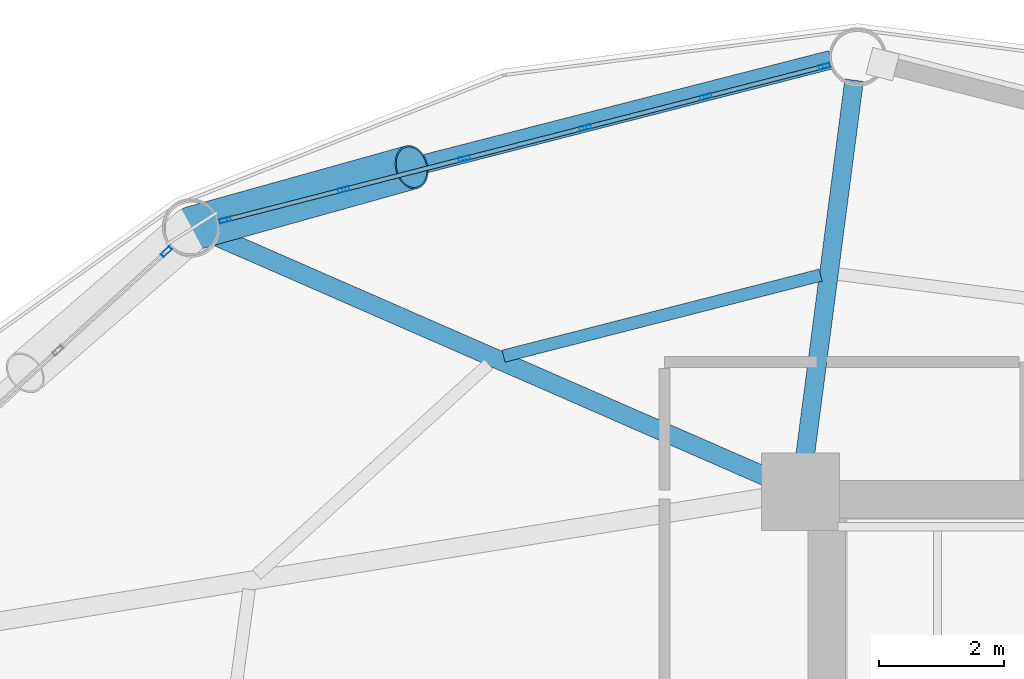
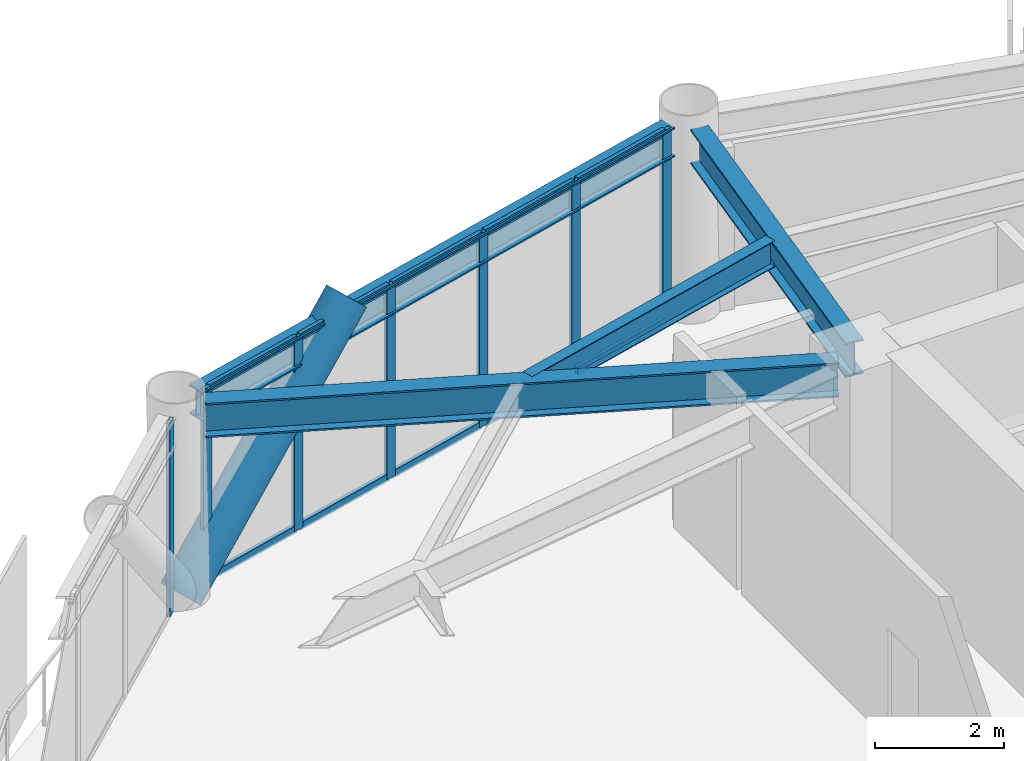
# One storey, part 16 of 25: 18 members, 4 beams, 2 elements without a shape of their own.
"""IFC4 building model written with IfcOpenShell, lengths in metres."""

from ifc_helpers import new_model, si_unit, direction, frame, origin, origin_2d, place, context, subcontext, project, spatial, hollow_rectangle, hollow_circle, i_section, extrude, material, layer, layer_set, material_profile, profile_set, type_object, element, aggregate, save


model = new_model("IFC4")

# Units and contexts
model_context = context("Model", 3, precision=1e-05, world=origin(), true_north=direction((0.0, 1.0)))
body_context = subcontext(model_context, "Body", "Model", "MODEL_VIEW")
ifc_project = project(units=[si_unit("LENGTHUNIT", "METRE"), si_unit("AREAUNIT", "SQUARE_METRE"), si_unit("VOLUMEUNIT", "CUBIC_METRE"), si_unit("PLANEANGLEUNIT", "RADIAN"), si_unit("MASSUNIT", "GRAM", prefix="KILO")], contexts=[model_context])

# Site, building, storey
site_placement = place(None, origin())
site = spatial("IfcSite", under=ifc_project, at=site_placement, CompositionType="ELEMENT")
building_placement = place(site_placement, origin())
building = spatial("IfcBuilding", under=site, at=building_placement, Name="Varnakorn Sky Granary", CompositionType="ELEMENT")
storey_placement = place(building_placement, frame((0.0, 0.0, 62.699951171875)))
storey = spatial("IfcBuildingStorey", under=building, at=storey_placement, Name="L15", CompositionType="ELEMENT", Elevation=62.699951171875)

# Beams
ifc_material_1 = material(Name="Steel S355JR", Category="steel")
ifc_material_profile_1 = material_profile(ifc_material_1, i_section(OverallWidth=0.300048828125, OverallDepth=0.64990234375, WebThickness=0.01611328125, FlangeThickness=0.031005859375, at=origin_2d()), Name="HE 650 B")
ifc_profile_set_1 = profile_set([ifc_material_profile_1], Name="Steel S355JR")
beam_type_1 = type_object("IfcBeamType", Name="BM-RAD-Z1", PredefinedType="BEAM", material=ifc_profile_set_1)
beam_1_placement = place(storey_placement, frame((-2.365478515625, 13.03662109375, 3.31494140625), z_axis=(0.129513148233, 0.991577704688, 0.0), x_axis=(-0.991577704688, 0.129513148233, 0.0)))
element("IfcBeam", 1, at=beam_1_placement, inside=storey, type_object=beam_type_1, Name="Radial Floor Girder RG04 L15", PredefinedType="BEAM", context=body_context, shape_type="SweptSolid", body=[
    extrude(i_section(OverallWidth=0.300048828125, OverallDepth=0.64990234375, WebThickness=0.01611328125, FlangeThickness=0.031005859375, at=origin_2d()), origin(), (0.0, 0.0, 1.0), 6.239501953125),
])
beam_2_placement = place(storey_placement, frame((-2.8046875, 12.7880859375, 3.31494140625), z_axis=(-0.916293779138, 0.400506816812, 0.0), x_axis=(-0.400506816812, -0.916293779138, 0.0)))
element("IfcBeam", 2, at=beam_2_placement, inside=storey, type_object=beam_type_1, Name="Radial Floor Girder RG05 L15", PredefinedType="BEAM", context=body_context, shape_type="SweptSolid", body=[
    extrude(i_section(OverallWidth=0.300048828125, OverallDepth=0.64990234375, WebThickness=0.01611328125, FlangeThickness=0.031005859375, at=origin_2d()), origin(), (0.0, 0.0, 1.0), 9.85205078125),
])
ifc_material_profile_2 = material_profile(ifc_material_1, i_section(OverallWidth=0.199951171875, OverallDepth=0.5, WebThickness=0.01025390625, FlangeThickness=0.01611328125, at=origin_2d()), Name="IPE 500")
ifc_profile_set_2 = profile_set([ifc_material_profile_2], Name="Steel S355JR")
beam_type_2 = type_object("IfcBeamType", Name="BM-SEC-Z1", PredefinedType="BEAM", material=ifc_profile_set_2)
beam_3_placement = place(storey_placement, frame((-2.09716796875, 16.095458984375, 3.39013671875), z_axis=(-0.96885695905, -0.247621067159, 0.0), x_axis=(0.247621067159, -0.96885695905, 0.0)))
element("IfcBeam", 3, at=beam_3_placement, inside=storey, type_object=beam_type_2, Name="Secondary Floor Chord Beam MSB04 L15", PredefinedType="BEAM", context=body_context, shape_type="SweptSolid", body=[
    extrude(i_section(OverallWidth=0.199951171875, OverallDepth=0.5, WebThickness=0.01025390625, FlangeThickness=0.01611328125, at=origin_2d()), origin(), (0.0, 0.0, 1.0), 5.249267578125),
])
ifc_material_profile_3 = material_profile(ifc_material_1, i_section(OverallWidth=0.300048828125, OverallDepth=0.550048828125, WebThickness=0.014892578125, FlangeThickness=0.029052734375, at=origin_2d()), Name="HE 550 B")
ifc_profile_set_3 = profile_set([ifc_material_profile_3], Name="Steel S355JR")
beam_type_3 = type_object("IfcBeamType", Name="BM-SPD-Z1", PredefinedType="SPANDREL", material=ifc_profile_set_3)
beam_4_placement = place(storey_placement, frame((-1.92822265625, 19.55224609375, 3.364990234375), z_axis=(-0.968705197596, -0.248214101432, 0.0), x_axis=(0.248214101432, -0.968705197596, 0.0)))
element("IfcBeam", 4, at=beam_4_placement, inside=storey, type_object=beam_type_3, Name="Perimeter Spandrel Ring Beam RB04 L15", PredefinedType="SPANDREL", context=body_context, shape_type="SweptSolid", body=[
    extrude(i_section(OverallWidth=0.300048828125, OverallDepth=0.550048828125, WebThickness=0.014892578125, FlangeThickness=0.029052734375, at=origin_2d()), origin(), (0.0, 0.0, 1.0), 10.19970703125),
])

# Curtain wall, members
ifc_material_2 = material(Name="Anodised Bronze Aluminium Alloy 6063-T6", Category="aluminium")
ifc_layer = layer(ifc_material_2, 0.18994140625, Name="Anodised Bronze Aluminium Alloy 6063-T6")
ifc_layer_set = layer_set([ifc_layer], Name="Anodised Bronze Aluminium Alloy 6063-T6")
curtain_wall_type = type_object("IfcCurtainWallType", Name="CW-FRM-1", PredefinedType="USERDEFINED", material=ifc_layer_set)
curtain_wall_1_placement = place(storey_placement, origin())
curtain_wall_1 = element("IfcCurtainWall", 5, at=curtain_wall_1_placement, inside=storey, type_object=curtain_wall_type, Name="Unitised Curtain Wall CW3 CW-L15-B04", ObjectType="CURTAIN WALL", PredefinedType="USERDEFINED")
ifc_material_profile_4 = material_profile(ifc_material_2, hollow_rectangle(XDim=0.070068359375, YDim=0.18505859375, WallThickness=0.00390625, at=origin_2d()), Name="ALU MULL 70x185")
ifc_profile_set_4 = profile_set([ifc_material_profile_4], Name="Anodised Bronze Aluminium Alloy 6063-T6")
member_type_1 = type_object("IfcMemberType", Name="CW-FRM-1-MULL", PredefinedType="MULLION", material=ifc_profile_set_4)
member_1_placement = place(storey_placement, frame((-11.65087890625, 16.9794921875, 0.0), z_axis=(0.0, 0.0, 1.0), x_axis=(-0.248436235849, 0.968648252317, 0.0)))
member_1 = element("IfcMember", 6, at=member_1_placement, type_object=member_type_1, Name="CW3 mullion 1", PredefinedType="MULLION", context=body_context, shape_type="SweptSolid", body=[
    extrude(hollow_rectangle(XDim=0.070068359375, YDim=0.18505859375, WallThickness=0.00390625, at=origin_2d()), origin(), (0.0, 0.0, 1.0), 3.64013671875),
])
member_2_placement = place(storey_placement, frame((-9.747802734375, 17.467529296875, 0.0), z_axis=(0.0, 0.0, 1.0), x_axis=(-0.248436235849, 0.968648252317, 0.0)))
member_2 = element("IfcMember", 7, at=member_2_placement, type_object=member_type_1, Name="CW3 mullion 2", PredefinedType="MULLION", context=body_context, shape_type="SweptSolid", body=[
    extrude(hollow_rectangle(XDim=0.070068359375, YDim=0.18505859375, WallThickness=0.00390625, at=origin_2d()), origin(), (0.0, 0.0, 1.0), 3.64013671875),
])
member_3_placement = place(storey_placement, frame((-7.81103515625, 17.96435546875, 0.0), z_axis=(0.0, 0.0, 1.0), x_axis=(-0.248436235849, 0.968648252317, 0.0)))
member_3 = element("IfcMember", 8, at=member_3_placement, type_object=member_type_1, Name="CW3 mullion 3", PredefinedType="MULLION", context=body_context, shape_type="SweptSolid", body=[
    extrude(hollow_rectangle(XDim=0.070068359375, YDim=0.18505859375, WallThickness=0.00390625, at=origin_2d()), origin(), (0.0, 0.0, 1.0), 3.64013671875),
])
member_4_placement = place(storey_placement, frame((-5.874267578125, 18.461181640625, 0.0), z_axis=(0.0, 0.0, 1.0), x_axis=(-0.248436235849, 0.968648252317, 0.0)))
member_4 = element("IfcMember", 9, at=member_4_placement, type_object=member_type_1, Name="CW3 mullion 4", PredefinedType="MULLION", context=body_context, shape_type="SweptSolid", body=[
    extrude(hollow_rectangle(XDim=0.070068359375, YDim=0.18505859375, WallThickness=0.00390625, at=origin_2d()), origin(), (0.0, 0.0, 1.0), 3.64013671875),
])
member_5_placement = place(storey_placement, frame((-3.9375, 18.957763671875, 0.0), z_axis=(0.0, 0.0, 1.0), x_axis=(-0.248436235849, 0.968648252317, 0.0)))
member_5 = element("IfcMember", 10, at=member_5_placement, type_object=member_type_1, Name="CW3 mullion 5", PredefinedType="MULLION", context=body_context, shape_type="SweptSolid", body=[
    extrude(hollow_rectangle(XDim=0.070068359375, YDim=0.18505859375, WallThickness=0.00390625, at=origin_2d()), origin(), (0.0, 0.0, 1.0), 3.64013671875),
])
member_6_placement = place(storey_placement, frame((-2.03466796875, 19.44580078125, 0.0), z_axis=(0.0, 0.0, 1.0), x_axis=(-0.248436235849, 0.968648252317, 0.0)))
member_6 = element("IfcMember", 11, at=member_6_placement, type_object=member_type_1, Name="CW3 mullion 6", PredefinedType="MULLION", context=body_context, shape_type="SweptSolid", body=[
    extrude(hollow_rectangle(XDim=0.070068359375, YDim=0.18505859375, WallThickness=0.00390625, at=origin_2d()), origin(), (0.0, 0.0, 1.0), 3.64013671875),
])

# Curtain wall, member
curtain_wall_2_placement = place(storey_placement, origin())
curtain_wall_2 = element("IfcCurtainWall", 12, at=curtain_wall_2_placement, inside=storey, type_object=curtain_wall_type, Name="Unitised Curtain Wall CW3 CW-L15-B05", ObjectType="CURTAIN WALL", PredefinedType="USERDEFINED")
member_7_placement = place(storey_placement, frame((-12.59375, 16.470947265625, 0.0), z_axis=(0.0, 0.0, 1.0), x_axis=(-0.673050871898, 0.739596189712, 0.0)))
member_7 = element("IfcMember", 13, at=member_7_placement, type_object=member_type_1, Name="CW3 mullion 5", PredefinedType="MULLION", context=body_context, shape_type="SweptSolid", body=[
    extrude(hollow_rectangle(XDim=0.070068359375, YDim=0.18505859375, WallThickness=0.00390625, at=origin_2d()), origin(), (0.0, 0.0, 1.0), 3.64013671875),
])
aggregate(curtain_wall_2, [member_7])

# Member
ifc_material_profile_5 = material_profile(ifc_material_2, hollow_rectangle(XDim=0.070068359375, YDim=0.139892578125, WallThickness=0.00341796875, at=origin_2d()), Name="ALU TRAN 70x140")
ifc_profile_set_5 = profile_set([ifc_material_profile_5], Name="Anodised Bronze Aluminium Alloy 6063-T6")
member_type_2 = type_object("IfcMemberType", Name="CW-FRM-1-TRAN", PredefinedType="USERDEFINED", material=ifc_profile_set_5)
member_8_placement = place(storey_placement, frame((-11.616943359375, 16.98828125, 0.03515625), z_axis=(0.968646374828, 0.248443556029, 0.0), x_axis=(-0.248443556029, 0.968646374828, 0.0)))
member_8 = element("IfcMember", 14, at=member_8_placement, type_object=member_type_2, Name="CW3 transom 1.1", ObjectType="TRANSOM", PredefinedType="USERDEFINED", context=body_context, shape_type="SweptSolid", body=[
    extrude(hollow_rectangle(XDim=0.070068359375, YDim=0.139892578125, WallThickness=0.00341796875, at=origin_2d()), origin(), (0.0, 0.0, 1.0), 1.89453125),
])

member_9_placement = place(storey_placement, frame((-11.616943359375, 16.98828125, 3.60498046875), z_axis=(0.968646374828, 0.248443556029, 0.0), x_axis=(-0.248443556029, 0.968646374828, 0.0)))
member_9 = element("IfcMember", 15, at=member_9_placement, type_object=member_type_2, Name="CW3 transom 1.2", ObjectType="TRANSOM", PredefinedType="USERDEFINED", context=body_context, shape_type="SweptSolid", body=[
    extrude(hollow_rectangle(XDim=0.070068359375, YDim=0.139892578125, WallThickness=0.00341796875, at=origin_2d()), origin(), (0.0, 0.0, 1.0), 1.89453125),
])

member_10_placement = place(storey_placement, frame((-9.714111328125, 17.476318359375, 0.03515625), z_axis=(0.968666207589, 0.248366218064, 0.0), x_axis=(-0.248366218064, 0.968666207589, 0.0)))
member_10 = element("IfcMember", 16, at=member_10_placement, type_object=member_type_2, Name="CW3 transom 2.1", ObjectType="TRANSOM", PredefinedType="USERDEFINED", context=body_context, shape_type="SweptSolid", body=[
    extrude(hollow_rectangle(XDim=0.070068359375, YDim=0.139892578125, WallThickness=0.00341796875, at=origin_2d()), origin(), (0.0, 0.0, 1.0), 1.9296875),
])

member_11_placement = place(storey_placement, frame((-9.714111328125, 17.476318359375, 3.60498046875), z_axis=(0.968666207589, 0.248366218064, 0.0), x_axis=(-0.248366218064, 0.968666207589, 0.0)))
member_11 = element("IfcMember", 17, at=member_11_placement, type_object=member_type_2, Name="CW3 transom 2.2", ObjectType="TRANSOM", PredefinedType="USERDEFINED", context=body_context, shape_type="SweptSolid", body=[
    extrude(hollow_rectangle(XDim=0.070068359375, YDim=0.139892578125, WallThickness=0.00341796875, at=origin_2d()), origin(), (0.0, 0.0, 1.0), 1.9296875),
])

member_12_placement = place(storey_placement, frame((-7.77734375, 17.97314453125, 0.03515625), z_axis=(0.968666207589, 0.248366218064, 0.0), x_axis=(-0.248366218064, 0.968666207589, 0.0)))
member_12 = element("IfcMember", 18, at=member_12_placement, type_object=member_type_2, Name="CW3 transom 3.1", ObjectType="TRANSOM", PredefinedType="USERDEFINED", context=body_context, shape_type="SweptSolid", body=[
    extrude(hollow_rectangle(XDim=0.070068359375, YDim=0.139892578125, WallThickness=0.00341796875, at=origin_2d()), origin(), (0.0, 0.0, 1.0), 1.9296875),
])

member_13_placement = place(storey_placement, frame((-7.77734375, 17.97314453125, 3.60498046875), z_axis=(0.968666207589, 0.248366218064, 0.0), x_axis=(-0.248366218064, 0.968666207589, 0.0)))
member_13 = element("IfcMember", 19, at=member_13_placement, type_object=member_type_2, Name="CW3 transom 3.2", ObjectType="TRANSOM", PredefinedType="USERDEFINED", context=body_context, shape_type="SweptSolid", body=[
    extrude(hollow_rectangle(XDim=0.070068359375, YDim=0.139892578125, WallThickness=0.00341796875, at=origin_2d()), origin(), (0.0, 0.0, 1.0), 1.9296875),
])

member_14_placement = place(storey_placement, frame((-5.840576171875, 18.4697265625, 0.03515625), z_axis=(0.968635761674, 0.248484931548, 0.0), x_axis=(-0.248484931548, 0.968635761674, 0.0)))
member_14 = element("IfcMember", 20, at=member_14_placement, type_object=member_type_2, Name="CW3 transom 4.1", ObjectType="TRANSOM", PredefinedType="USERDEFINED", context=body_context, shape_type="SweptSolid", body=[
    extrude(hollow_rectangle(XDim=0.070068359375, YDim=0.139892578125, WallThickness=0.00341796875, at=origin_2d()), origin(), (0.0, 0.0, 1.0), 1.9296875),
])

member_15_placement = place(storey_placement, frame((-5.840576171875, 18.4697265625, 3.60498046875), z_axis=(0.968635761674, 0.248484931548, 0.0), x_axis=(-0.248484931548, 0.968635761674, 0.0)))
member_15 = element("IfcMember", 21, at=member_15_placement, type_object=member_type_2, Name="CW3 transom 4.2", ObjectType="TRANSOM", PredefinedType="USERDEFINED", context=body_context, shape_type="SweptSolid", body=[
    extrude(hollow_rectangle(XDim=0.070068359375, YDim=0.139892578125, WallThickness=0.00341796875, at=origin_2d()), origin(), (0.0, 0.0, 1.0), 1.9296875),
])

member_16_placement = place(storey_placement, frame((-3.903564453125, 18.966552734375, 0.03515625), z_axis=(0.968638419511, 0.248474570625, 0.0), x_axis=(-0.248474570625, 0.968638419511, 0.0)))
member_16 = element("IfcMember", 22, at=member_16_placement, type_object=member_type_2, Name="CW3 transom 5.1", ObjectType="TRANSOM", PredefinedType="USERDEFINED", context=body_context, shape_type="SweptSolid", body=[
    extrude(hollow_rectangle(XDim=0.070068359375, YDim=0.139892578125, WallThickness=0.00341796875, at=origin_2d()), origin(), (0.0, 0.0, 1.0), 1.894287109375),
])

member_17_placement = place(storey_placement, frame((-3.903564453125, 18.966552734375, 3.60498046875), z_axis=(0.968638419511, 0.248474570625, 0.0), x_axis=(-0.248474570625, 0.968638419511, 0.0)))
member_17 = element("IfcMember", 23, at=member_17_placement, type_object=member_type_2, Name="CW3 transom 5.2", ObjectType="TRANSOM", PredefinedType="USERDEFINED", context=body_context, shape_type="SweptSolid", body=[
    extrude(hollow_rectangle(XDim=0.070068359375, YDim=0.139892578125, WallThickness=0.00341796875, at=origin_2d()), origin(), (0.0, 0.0, 1.0), 1.894287109375),
])

aggregate(curtain_wall_1, [member_1, member_2, member_3, member_4, member_5, member_6, member_8, member_9, member_10, member_11, member_12, member_13, member_14, member_15, member_16, member_17])

ifc_material_3 = material(Name="Steel S460M", Category="steel")
ifc_material_profile_6 = material_profile(ifc_material_3, hollow_circle(Radius=0.35546875, WallThickness=0.02490234375, at=origin_2d()), Name="CHS 711x25")
ifc_profile_set_6 = profile_set([ifc_material_profile_6], Name="Steel S460M")
member_type_3 = type_object("IfcMemberType", Name="MB-DIAG-T0", PredefinedType="BRACE", material=ifc_profile_set_6)
member_18_placement = place(storey_placement, frame((-12.185546875, 16.842529296875, 0.0), z_axis=(0.669295728084, 0.186952561322, 0.719091070855), x_axis=(-0.269029066803, 0.963132058035, 0.0)))
element("IfcMember", 24, at=member_18_placement, inside=storey, type_object=member_type_3, Name="Perimeter CHS Diagrid Brace DG04 L15", PredefinedType="BRACE", context=body_context, shape_type="SweptSolid", body=[
    extrude(hollow_circle(Radius=0.35546875, WallThickness=0.02490234375, at=origin_2d()), origin(), (0.0, 0.0, 1.0), 5.2705078125),
])

save(model, "model.ifc")
